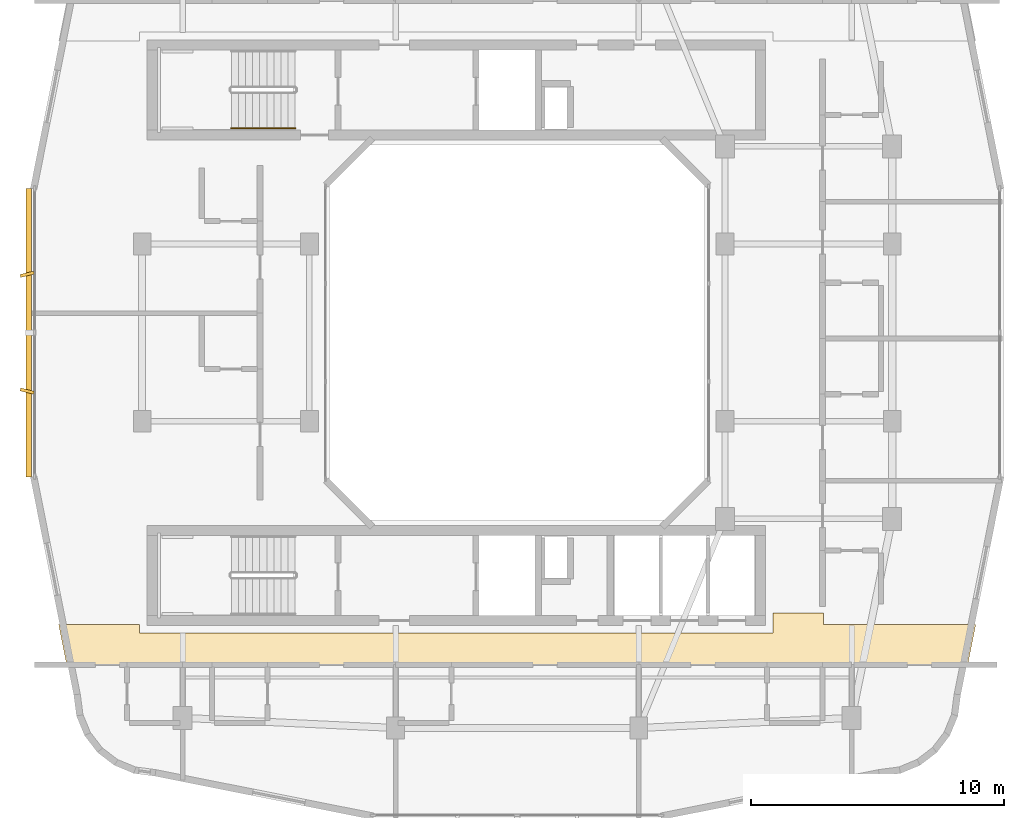
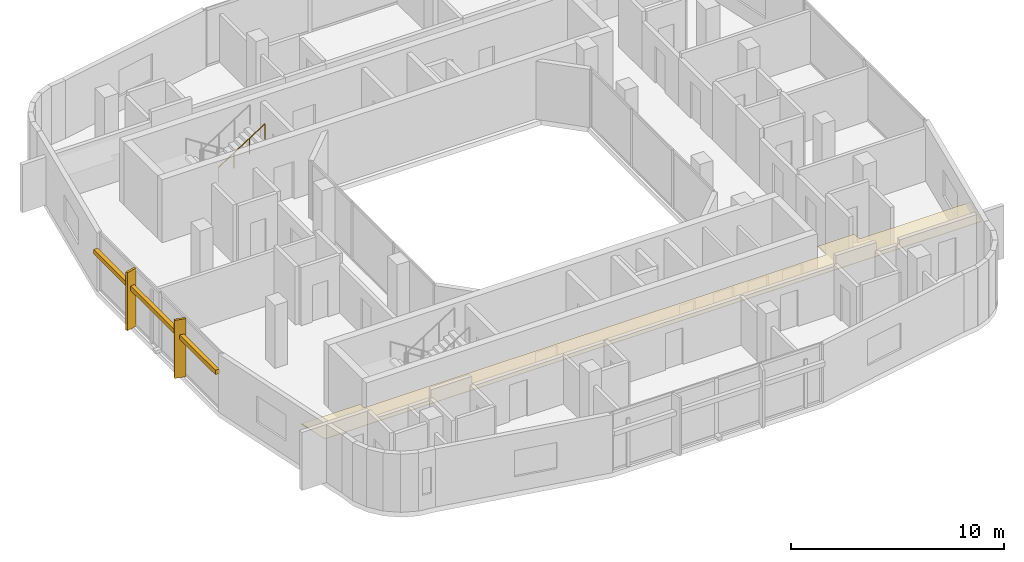
# One storey, part 12 of 14: 3 shading devices, 1 covering, 1 railing.
"""IFC4 building model written with IfcOpenShell, lengths in metres."""

from ifc_helpers import new_model, si_unit, derived_unit, direction, frame, origin, origin_2d, place, context, subcontext, project, spatial, polyline, rectangle, circle, outline, extrude, material, layer, layer_set, type_object, element, save


model = new_model("IFC4")

# Units and contexts
model_context = context("Model", 3, precision=1e-05, world=origin(), true_north=direction((0.0, 1.0)))
body_context = subcontext(model_context, "Body", "Model", "MODEL_VIEW")
ifc_project = project(units=[si_unit("LENGTHUNIT", "METRE"), si_unit("AREAUNIT", "SQUARE_METRE"), si_unit("VOLUMEUNIT", "CUBIC_METRE"), si_unit("PLANEANGLEUNIT", "RADIAN"), si_unit("MASSUNIT", "GRAM", prefix="KILO"), derived_unit("THERMALTRANSMITTANCEUNIT", [(si_unit("POWERUNIT", "WATT"), 1), (si_unit("LENGTHUNIT", "METRE"), -2), (si_unit("THERMODYNAMICTEMPERATUREUNIT", "KELVIN"), -1)])], contexts=[model_context])

# Site, building, storey
site_placement = place(None, origin())
site = spatial("IfcSite", under=ifc_project, at=site_placement, CompositionType="ELEMENT")
building_placement = place(site_placement, origin())
building = spatial("IfcBuilding", under=site, at=building_placement, Name="Kivonza Crest Hotel", CompositionType="ELEMENT")
storey_placement = place(building_placement, frame((0.0, 0.0, 227.89990234375)))
storey = spatial("IfcBuildingStorey", under=building, at=storey_placement, Name="L62", CompositionType="ELEMENT", Elevation=227.89990234375)

# Covering
ifc_material_1 = material(Name="Moisture-resistant gypsum plasterboard ceiling", Category="gypsum")
ifc_layer = layer(ifc_material_1, 0.030029296875)
ifc_layer_set = layer_set([ifc_layer], Name="Moisture-resistant gypsum plasterboard ceiling")
covering_type = type_object("IfcCoveringType", Name="CV-CEIL-GYP", PredefinedType="CEILING", material=ifc_layer_set)
covering_placement = place(storey_placement, frame((0.0, 0.0, 2.4501953125)))
element("IfcCovering", 1, at=covering_placement, inside=storey, type_object=covering_type, Name="L62 Hotel South Guest Corridor suspended ceiling", PredefinedType="CEILING", context=body_context, shape_type="SweptSolid", body=[
    extrude(outline(polyline([(33.090087890625, 13.47998046875), (33.090087890625, 13.93994140625), (31.10009765625, 13.93994140625), (31.10009765625, 13.139892578125), (6.10009765625, 13.139892578125), (6.10009765625, 13.47998046875), (2.906005859375, 13.47998046875), (3.22802734375, 11.860107421875), (38.77197265625, 11.860107421875), (39.093994140625, 13.47998046875), (33.090087890625, 13.47998046875)])), origin(), (0.0, 0.0, 1.0), 0.02978515625),
])

# Railing
ifc_material_2 = material(Name="Brushed stainless steel handrail", Category="steel")
railing_type = type_object("IfcRailingType", Name="RL-HAND-900", PredefinedType="HANDRAIL", material=ifc_material_2)
railing_placement = place(storey_placement, frame((9.719970703125, 33.070068359375, 1.97998046875)))
element("IfcRailing", 2, at=railing_placement, inside=storey, type_object=railing_type, Name="L62 ST-T1-N stair handrail 2", PredefinedType="HANDRAIL", context=body_context, shape_type="SweptSolid", body=[
    extrude(circle(Radius=0.02392578125, at=origin_2d()), frame((0.0, 0.0, 0.8759765625), z_axis=(0.841162588446, 0.0, 0.540782303519), x_axis=(0.0, 1.0, 0.0)), (0.0, 0.0, 1.0), 2.995849609375),
    extrude(circle(Radius=0.02099609375, at=origin_2d()), origin(), (0.0, 0.0, 1.0), 0.851806640625),
    extrude(circle(Radius=0.02099609375, at=origin_2d()), frame((0.840087890625, 0.0, 0.5400390625)), (0.0, 0.0, 1.0), 0.851806640625),
    extrude(circle(Radius=0.02099609375, at=origin_2d()), frame((1.679931640625, 0.0, 1.080078125)), (0.0, 0.0, 1.0), 0.851806640625),
    extrude(circle(Radius=0.02099609375, at=origin_2d()), frame((2.52001953125, 0.0, 1.6201171875)), (0.0, 0.0, 1.0), 0.851806640625),
])

# Shading devices
ifc_material_3 = material(Name="Kiln-fired Nairobi red-ochre terracotta", Category="masonry")
shading_device_type_1 = type_object("IfcShadingDeviceType", Name="SH-BAGUETTE-300", PredefinedType="USERDEFINED", material=ifc_material_3)
shading_device_placement = place(storey_placement, frame((1.719970703125, 25.0, 2.1943359375), z_axis=(0.0, 0.0, 1.0), x_axis=(0.0, -1.0, 0.0)))
element("IfcShadingDevice", 3, at=shading_device_placement, inside=storey, type_object=shading_device_type_1, Name="L62 terracotta baguette screen CW-T1-L62-35", ObjectType="BAGUETTE", PredefinedType="USERDEFINED", context=body_context, shape_type="SweptSolid", body=[
    extrude(rectangle(XDim=11.39990234375, YDim=0.219970703125, at=origin_2d()), origin(), (0.0, 0.0, 1.0), 0.260009765625),
])
ifc_material_4 = material(Name="Kiln-fired terracotta over extruded aluminium spine", Category="masonry")
shading_device_type_2 = type_object("IfcShadingDeviceType", Name="SH-FIN-550", PredefinedType="USERDEFINED", material=ifc_material_4)
for number, where, z_axis, x_axis, name in (
    (4, (1.659912109375, 27.303955078125, 0.0), (0.0, 0.0, 1.0), (0.2419218956, -0.970295726276, 0.0), "L62 vertical solar shading fin CW-T1-L62-35-1"),
    (5, (1.659912109375, 22.696044921875, 0.0), (0.0, 0.0, 1.0), (-0.2419218956, -0.970295726276, 0.0), "L62 vertical solar shading fin CW-T1-L62-35-2"),
):
    element("IfcShadingDevice", number, at=place(storey_placement, frame(where, z_axis=z_axis, x_axis=x_axis)), inside=storey, type_object=shading_device_type_2, Name=name, ObjectType="FIN", PredefinedType="USERDEFINED", context=body_context, shape_type="SweptSolid", body=[
        extrude(rectangle(XDim=0.1201171875, YDim=0.550048828125, at=origin_2d()), origin(), (0.0, 0.0, 1.0), 3.320068359375),
    ])

save(model, "model.ifc")
